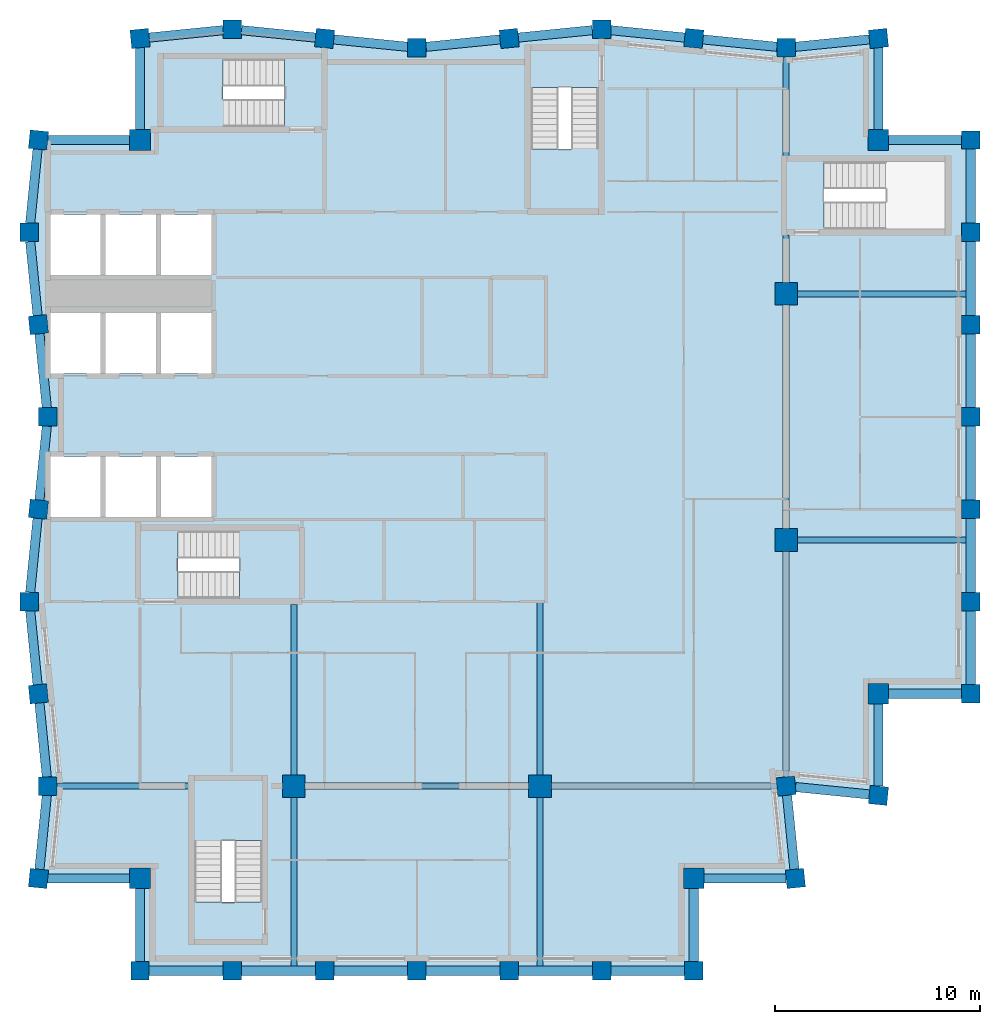
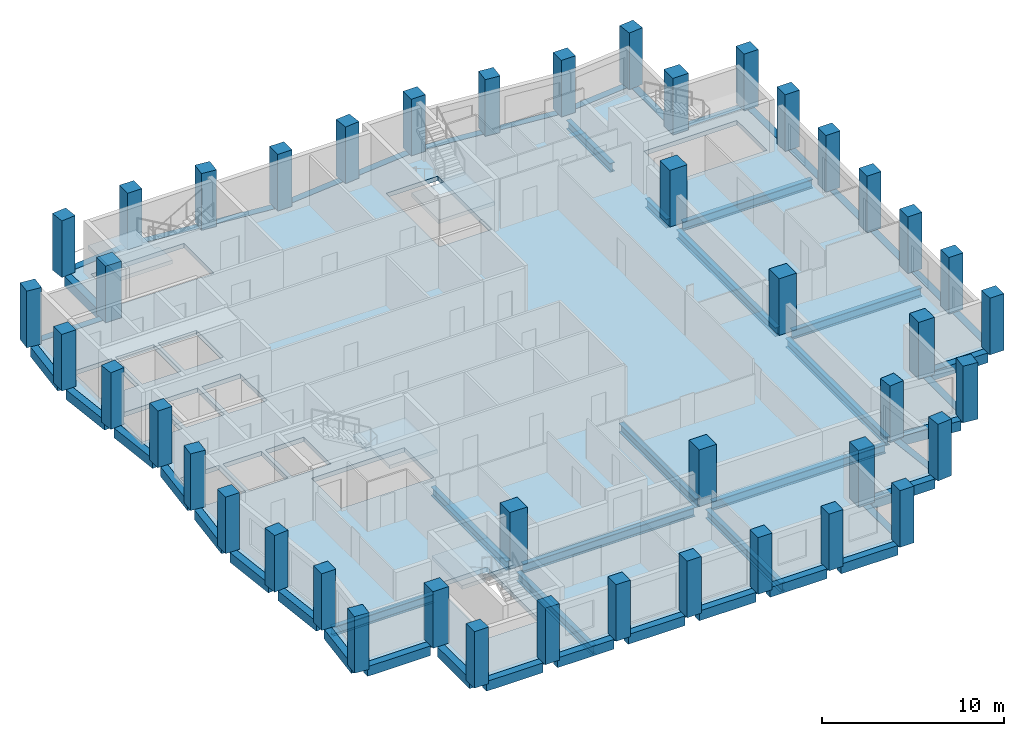
# One storey, part 1 of 7: 53 beams, 44 columns, 5 slabs, 4 elements without a shape of their own.
"""IFC4 building model written with IfcOpenShell, lengths in metres."""

from ifc_helpers import new_model, si_unit, direction, frame, origin, origin_2d, place, context, subcontext, project, spatial, polyline, rectangle, i_section, outline, extrude, material, layer, layer_set, material_profile, profile_set, type_object, element, aggregate, save


model = new_model("IFC4")

# Units and contexts
model_context = context("Model", 3, precision=1e-05, world=origin(), true_north=direction((0.0, 1.0)))
body_context = subcontext(model_context, "Body", "Model", "MODEL_VIEW")
ifc_project = project(units=[si_unit("LENGTHUNIT", "METRE"), si_unit("AREAUNIT", "SQUARE_METRE"), si_unit("VOLUMEUNIT", "CUBIC_METRE"), si_unit("PLANEANGLEUNIT", "RADIAN"), si_unit("MASSUNIT", "GRAM", prefix="KILO")], contexts=[model_context])

# Site, building, storey
site_placement = place(None, origin())
site = spatial("IfcSite", under=ifc_project, at=site_placement, CompositionType="ELEMENT")
building_placement = place(site_placement, origin())
building = spatial("IfcBuilding", under=site, at=building_placement, Name="Brondeck Convention Tower", CompositionType="ELEMENT")
storey_placement = place(building_placement, frame((0.0, 0.0, 275.199951171875)))
storey = spatial("IfcBuildingStorey", under=building, at=storey_placement, Name="L68", CompositionType="ELEMENT", Elevation=275.199951171875)

# Columns
ifc_material_1 = material(Name="Concrete C50/60", Category="concrete")
ifc_material_profile_1 = material_profile(ifc_material_1, rectangle(XDim=1.0, YDim=1.0, at=origin_2d()), Name="Corner column 1000x1000 Concrete C50/60")
ifc_profile_set_1 = profile_set([ifc_material_profile_1], Name="Concrete C50/60")
column_type_1 = type_object("IfcColumnType", Name="Corner column 1000x1000 Concrete C50/60", PredefinedType="COLUMN", material=ifc_profile_set_1)
for number, where, z_axis, x_axis, name in (
    (1, (4.5, 22.5, 0.0), (0.0, 0.0, 1.0), (1.0, 0.0, 0.0), "STR-COL-L68-NC-SWB18"),
    (2, (31.5, 22.5, 0.0), (0.0, 0.0, 1.0), (1.0, 0.0, 0.0), "STR-COL-L68-NC-SEB18"),
    (3, (40.5, 31.5, 0.0), (0.0, 0.0, 1.0), (1.0, 0.0, 0.0), "STR-COL-L68-NC-SEA45"),
    (4, (40.5, 58.5, 0.0), (0.0, 0.0, 1.0), (1.0, 0.0, 0.0), "STR-COL-L68-NC-NEA45"),
    (5, (4.5, 58.5, 0.0), (0.0, 0.0, 1.0), (1.0, 0.0, 0.0), "STR-COL-L68-NC-NW"),
):
    element("IfcColumn", number, at=place(storey_placement, frame(where, z_axis=z_axis, x_axis=x_axis)), inside=storey, type_object=column_type_1, Name=name, PredefinedType="COLUMN", context=body_context, shape_type="SweptSolid", body=[
        extrude(rectangle(XDim=1.0, YDim=1.0, at=origin_2d()), origin(), (0.0, 0.0, 1.0), 3.800048828125),
    ])
ifc_material_profile_2 = material_profile(ifc_material_1, rectangle(XDim=1.10009765625, YDim=1.10009765625, at=origin_2d()), Name="Interior column 1100x1100 Concrete C50/60")
ifc_profile_set_2 = profile_set([ifc_material_profile_2], Name="Concrete C50/60")
column_type_2 = type_object("IfcColumnType", Name="Interior column 1100x1100 Concrete C50/60", PredefinedType="COLUMN", material=ifc_profile_set_2)
for number, where, z_axis, x_axis, name in (
    (6, (12.0, 27.0, 0.0), (0.0, 0.0, 1.0), (1.0, 0.0, 0.0), "STR-COL-L68-IC-03"),
    (7, (24.0, 27.0, 0.0), (0.0, 0.0, 1.0), (1.0, 0.0, 0.0), "STR-COL-L68-IC-06"),
    (8, (36.0, 39.0, 0.0), (0.0, 0.0, 1.0), (1.0, 0.0, 0.0), "STR-COL-L68-IC-07"),
    (9, (36.0, 51.0, 0.0), (0.0, 0.0, 1.0), (1.0, 0.0, 0.0), "STR-COL-L68-IC-08"),
):
    element("IfcColumn", number, at=place(storey_placement, frame(where, z_axis=z_axis, x_axis=x_axis)), inside=storey, type_object=column_type_2, Name=name, PredefinedType="COLUMN", context=body_context, shape_type="SweptSolid", body=[
        extrude(rectangle(XDim=1.10009765625, YDim=1.10009765625, at=origin_2d()), origin(), (0.0, 0.0, 1.0), 3.800048828125),
    ])
ifc_material_profile_3 = material_profile(ifc_material_1, rectangle(XDim=0.89990234375, YDim=0.89990234375, at=origin_2d()), Name="Perimeter pier 900x900 Concrete C50/60")
ifc_profile_set_3 = profile_set([ifc_material_profile_3], Name="Concrete C50/60")
column_type_3 = type_object("IfcColumnType", Name="Perimeter pier 900x900 Concrete C50/60", PredefinedType="COLUMN", material=ifc_profile_set_3)
for number, where, z_axis, x_axis, name in (
    (10, (4.5, 18.0, 0.0), (0.0, 0.0, 1.0), (1.0, 0.0, 0.0), "STR-COL-L68-PC-B-S18-01"),
    (11, (9.0, 18.0, 0.0), (0.0, 0.0, 1.0), (1.0, 0.0, 0.0), "STR-COL-L68-PC-B-S18-02"),
    (12, (13.5, 18.0, 0.0), (0.0, 0.0, 1.0), (1.0, 0.0, 0.0), "STR-COL-L68-PC-B-S18-03"),
    (13, (18.0, 18.0, 0.0), (0.0, 0.0, 1.0), (1.0, 0.0, 0.0), "STR-COL-L68-PC-B-S18-04"),
    (14, (22.5, 18.0, 0.0), (0.0, 0.0, 1.0), (1.0, 0.0, 0.0), "STR-COL-L68-PC-B-S18-05"),
    (15, (27.0, 18.0, 0.0), (0.0, 0.0, 1.0), (1.0, 0.0, 0.0), "STR-COL-L68-PC-B-S18-06"),
    (16, (31.5, 18.0, 0.0), (0.0, 0.0, 1.0), (1.0, 0.0, 0.0), "STR-COL-L68-PC-B-S18-07"),
    (17, (36.449951171875, 22.5, 0.0), (0.0, 0.0, 1.0), (-0.0995038382, 0.995037178292, 0.0), "STR-COL-L68-PC-B-E-01"),
    (18, (36.0, 27.0, 0.0), (0.0, 0.0, 1.0), (-0.0995038382, 0.995037178292, 0.0), "STR-COL-L68-PC-B-E-00"),
    (19, (40.5, 26.550048828125, 0.0), (0.0, 0.0, 1.0), (0.995037178292, -0.0995038382, 0.0), "STR-COL-L68-PC-A-S-01"),
    (20, (45.0, 31.5, 0.0), (0.0, 0.0, 1.0), (0.0, 1.0, 0.0), "STR-COL-L68-PC-A-E45-01"),
    (21, (45.0, 36.0, 0.0), (0.0, 0.0, 1.0), (0.0, 1.0, 0.0), "STR-COL-L68-PC-A-E45-02"),
    (22, (45.0, 40.5, 0.0), (0.0, 0.0, 1.0), (0.0, 1.0, 0.0), "STR-COL-L68-PC-A-E45-03"),
    (23, (45.0, 45.0, 0.0), (0.0, 0.0, 1.0), (0.0, 1.0, 0.0), "STR-COL-L68-PC-A-E45-04"),
    (24, (45.0, 49.5, 0.0), (0.0, 0.0, 1.0), (0.0, 1.0, 0.0), "STR-COL-L68-PC-A-E45-05"),
    (25, (45.0, 54.0, 0.0), (0.0, 0.0, 1.0), (0.0, 1.0, 0.0), "STR-COL-L68-PC-A-E45-06"),
    (26, (45.0, 58.5, 0.0), (0.0, 0.0, 1.0), (0.0, 1.0, 0.0), "STR-COL-L68-PC-A-E45-07"),
    (27, (40.5, 63.449951171875, 0.0), (0.0, 0.0, 1.0), (-0.995037178292, -0.0995038382, 0.0), "STR-COL-L68-PC-A-N-09"),
    (28, (36.0, 63.0, 0.0), (0.0, 0.0, 1.0), (-1.0, 0.0, 0.0), "STR-COL-L68-PC-A-N-08"),
    (29, (31.5, 63.449951171875, 0.0), (0.0, 0.0, 1.0), (-0.995037178292, 0.0995038382, 0.0), "STR-COL-L68-PC-A-N-07"),
    (30, (27.0, 63.89990234375, 0.0), (0.0, 0.0, 1.0), (-1.0, 0.0, 0.0), "STR-COL-L68-PC-A-N-06"),
    (31, (22.5, 63.449951171875, 0.0), (0.0, 0.0, 1.0), (-0.995037178292, -0.0995038382, 0.0), "STR-COL-L68-PC-A-N-05"),
    (32, (18.0, 63.0, 0.0), (0.0, 0.0, 1.0), (-1.0, 0.0, 0.0), "STR-COL-L68-PC-A-N-04"),
    (33, (13.5, 63.449951171875, 0.0), (0.0, 0.0, 1.0), (-0.995037178292, 0.0995038382, 0.0), "STR-COL-L68-PC-A-N-03"),
    (34, (9.0, 63.89990234375, 0.0), (0.0, 0.0, 1.0), (-1.0, 0.0, 0.0), "STR-COL-L68-PC-A-N-02"),
    (35, (4.5, 63.449951171875, 0.0), (0.0, 0.0, 1.0), (-0.995037178292, -0.0995038382, 0.0), "STR-COL-L68-PC-A-N-01"),
    (36, (-0.449951171875, 58.5, 0.0), (0.0, 0.0, 1.0), (-0.0995038382, -0.995037178292, 0.0), "STR-COL-L68-PC-B-W-01"),
    (37, (-0.89990234375, 54.0, 0.0), (0.0, 0.0, 1.0), (0.0, -1.0, 0.0), "STR-COL-L68-PC-B-W-02"),
    (38, (-0.449951171875, 49.5, 0.0), (0.0, 0.0, 1.0), (0.0995038382, -0.995037178292, 0.0), "STR-COL-L68-PC-B-W-03"),
    (39, (0.0, 45.0, 0.0), (0.0, 0.0, 1.0), (0.0, -1.0, 0.0), "STR-COL-L68-PC-B-W-04"),
    (40, (-0.449951171875, 40.5, 0.0), (0.0, 0.0, 1.0), (-0.0995038382, -0.995037178292, 0.0), "STR-COL-L68-PC-B-W-05"),
    (41, (-0.89990234375, 36.0, 0.0), (0.0, 0.0, 1.0), (0.0, -1.0, 0.0), "STR-COL-L68-PC-B-W-06"),
    (42, (-0.449951171875, 31.5, 0.0), (0.0, 0.0, 1.0), (0.0995038382, -0.995037178292, 0.0), "STR-COL-L68-PC-B-W-07"),
    (43, (0.0, 27.0, 0.0), (0.0, 0.0, 1.0), (0.0, -1.0, 0.0), "STR-COL-L68-PC-B-W-08"),
    (44, (-0.449951171875, 22.5, 0.0), (0.0, 0.0, 1.0), (-0.0995038382, -0.995037178292, 0.0), "STR-COL-L68-PC-B-W-09"),
):
    element("IfcColumn", number, at=place(storey_placement, frame(where, z_axis=z_axis, x_axis=x_axis)), inside=storey, type_object=column_type_3, Name=name, PredefinedType="COLUMN", context=body_context, shape_type="SweptSolid", body=[
        extrude(rectangle(XDim=0.89990234375, YDim=0.89990234375, at=origin_2d()), origin(), (0.0, 0.0, 1.0), 3.800048828125),
    ])

# Beams
ifc_material_2 = material(Name="Steel S355", Category="steel")
ifc_material_profile_4 = material_profile(ifc_material_2, i_section(OverallWidth=0.300048828125, OverallDepth=0.60009765625, WebThickness=0.015380859375, FlangeThickness=0.030029296875, FilletRadius=0.027099609375, at=origin_2d()), Name="HEB 600")
ifc_profile_set_4 = profile_set([ifc_material_profile_4], Name="Steel S355")
beam_type_1 = type_object("IfcBeamType", Name="Girder HEB 600", PredefinedType="BEAM", material=ifc_profile_set_4)
for number, where, z_axis, x_axis, name in (
    (45, (36.550048828125, 39.0, -0.599853515625), (1.0, 0.0, 0.0), (0.0, 1.0, 0.0), "STR-GR-L68-001"),
    (46, (36.550048828125, 51.0, -0.599853515625), (1.0, 0.0, 0.0), (0.0, 1.0, 0.0), "STR-GR-L68-002"),
):
    element("IfcBeam", number, at=place(storey_placement, frame(where, z_axis=z_axis, x_axis=x_axis)), inside=storey, type_object=beam_type_1, Name=name, PredefinedType="BEAM", context=body_context, shape_type="SweptSolid", body=[
        extrude(i_section(OverallWidth=0.300048828125, OverallDepth=0.60009765625, WebThickness=0.015380859375, FlangeThickness=0.030029296875, FilletRadius=0.027099609375, at=origin_2d()), origin(), (0.0, 0.0, 1.0), 8.224853515625),
    ])
beam_1_placement = place(storey_placement, frame((36.0, 27.4521484375, -0.599853515625), z_axis=(0.0, 1.0, 0.0), x_axis=(-1.0, 0.0, 0.0)))
element("IfcBeam", 47, at=beam_1_placement, inside=storey, type_object=beam_type_1, Name="STR-GR-L68-003", PredefinedType="BEAM", context=body_context, shape_type="SweptSolid", body=[
    extrude(i_section(OverallWidth=0.300048828125, OverallDepth=0.60009765625, WebThickness=0.015380859375, FlangeThickness=0.030029296875, FilletRadius=0.027099609375, at=origin_2d()), origin(), (0.0, 0.0, 1.0), 10.997802734375),
])
beam_2_placement = place(storey_placement, frame((36.0, 39.550048828125, -0.599853515625), z_axis=(0.0, 1.0, 0.0), x_axis=(-1.0, 0.0, 0.0)))
element("IfcBeam", 48, at=beam_2_placement, inside=storey, type_object=beam_type_1, Name="STR-GR-L68-004", PredefinedType="BEAM", context=body_context, shape_type="SweptSolid", body=[
    extrude(i_section(OverallWidth=0.300048828125, OverallDepth=0.60009765625, WebThickness=0.015380859375, FlangeThickness=0.030029296875, FilletRadius=0.027099609375, at=origin_2d()), origin(), (0.0, 0.0, 1.0), 10.89990234375),
])
beam_3_placement = place(storey_placement, frame((36.0, 51.550048828125, -0.599853515625), z_axis=(0.0, 1.0, 0.0), x_axis=(-1.0, 0.0, 0.0)))
element("IfcBeam", 49, at=beam_3_placement, inside=storey, type_object=beam_type_1, Name="STR-GR-L68-005", PredefinedType="BEAM", context=body_context, shape_type="SweptSolid", body=[
    extrude(i_section(OverallWidth=0.300048828125, OverallDepth=0.60009765625, WebThickness=0.015380859375, FlangeThickness=0.030029296875, FilletRadius=0.027099609375, at=origin_2d()), origin(), (0.0, 0.0, 1.0), 2.329833984375),
])
beam_4_placement = place(storey_placement, frame((36.0, 57.719970703125, -0.599853515625), z_axis=(0.0, 1.0, 0.0), x_axis=(-1.0, 0.0, 0.0)))
element("IfcBeam", 50, at=beam_4_placement, inside=storey, type_object=beam_type_1, Name="STR-GR-L68-006", PredefinedType="BEAM", context=body_context, shape_type="SweptSolid", body=[
    extrude(i_section(OverallWidth=0.300048828125, OverallDepth=0.60009765625, WebThickness=0.015380859375, FlangeThickness=0.030029296875, FilletRadius=0.027099609375, at=origin_2d()), origin(), (0.0, 0.0, 1.0), 4.830078125),
])
beam_5_placement = place(storey_placement, frame((12.0, 35.85009765625, -0.599853515625), z_axis=(0.0, -1.0, 0.0), x_axis=(1.0, 0.0, 0.0)))
element("IfcBeam", 51, at=beam_5_placement, inside=storey, type_object=beam_type_1, Name="STR-GR-L68-007", PredefinedType="BEAM", context=body_context, shape_type="SweptSolid", body=[
    extrude(i_section(OverallWidth=0.300048828125, OverallDepth=0.60009765625, WebThickness=0.015380859375, FlangeThickness=0.030029296875, FilletRadius=0.027099609375, at=origin_2d()), origin(), (0.0, 0.0, 1.0), 8.300048828125),
])
beam_6_placement = place(storey_placement, frame((12.0, 26.449951171875, -0.599853515625), z_axis=(0.0, -1.0, 0.0), x_axis=(1.0, 0.0, 0.0)))
element("IfcBeam", 52, at=beam_6_placement, inside=storey, type_object=beam_type_1, Name="STR-GR-L68-008", PredefinedType="BEAM", context=body_context, shape_type="SweptSolid", body=[
    extrude(i_section(OverallWidth=0.300048828125, OverallDepth=0.60009765625, WebThickness=0.015380859375, FlangeThickness=0.030029296875, FilletRadius=0.027099609375, at=origin_2d()), origin(), (0.0, 0.0, 1.0), 8.224853515625),
])
beam_7_placement = place(storey_placement, frame((24.0, 35.955078125, -0.599853515625), z_axis=(0.0, -1.0, 0.0), x_axis=(1.0, 0.0, 0.0)))
element("IfcBeam", 53, at=beam_7_placement, inside=storey, type_object=beam_type_1, Name="STR-GR-L68-009", PredefinedType="BEAM", context=body_context, shape_type="SweptSolid", body=[
    extrude(i_section(OverallWidth=0.300048828125, OverallDepth=0.60009765625, WebThickness=0.015380859375, FlangeThickness=0.030029296875, FilletRadius=0.027099609375, at=origin_2d()), origin(), (0.0, 0.0, 1.0), 8.405029296875),
])
beam_8_placement = place(storey_placement, frame((24.0, 26.449951171875, -0.599853515625), z_axis=(0.0, -1.0, 0.0), x_axis=(1.0, 0.0, 0.0)))
element("IfcBeam", 54, at=beam_8_placement, inside=storey, type_object=beam_type_1, Name="STR-GR-L68-010", PredefinedType="BEAM", context=body_context, shape_type="SweptSolid", body=[
    extrude(i_section(OverallWidth=0.300048828125, OverallDepth=0.60009765625, WebThickness=0.015380859375, FlangeThickness=0.030029296875, FilletRadius=0.027099609375, at=origin_2d()), origin(), (0.0, 0.0, 1.0), 8.224853515625),
])
beam_9_placement = place(storey_placement, frame((0.449951171875, 27.0, -0.599853515625), z_axis=(1.0, 0.0, 0.0), x_axis=(0.0, 1.0, 0.0)))
element("IfcBeam", 55, at=beam_9_placement, inside=storey, type_object=beam_type_1, Name="STR-GR-L68-011", PredefinedType="BEAM", context=body_context, shape_type="SweptSolid", body=[
    extrude(i_section(OverallWidth=0.300048828125, OverallDepth=0.60009765625, WebThickness=0.015380859375, FlangeThickness=0.030029296875, FilletRadius=0.027099609375, at=origin_2d()), origin(), (0.0, 0.0, 1.0), 6.429931640625),
])
beam_10_placement = place(storey_placement, frame((12.550048828125, 27.0, -0.599853515625), z_axis=(1.0, 0.0, 0.0), x_axis=(0.0, 1.0, 0.0)))
element("IfcBeam", 56, at=beam_10_placement, inside=storey, type_object=beam_type_1, Name="STR-GR-L68-012", PredefinedType="BEAM", context=body_context, shape_type="SweptSolid", body=[
    extrude(i_section(OverallWidth=0.300048828125, OverallDepth=0.60009765625, WebThickness=0.015380859375, FlangeThickness=0.030029296875, FilletRadius=0.027099609375, at=origin_2d()), origin(), (0.0, 0.0, 1.0), 10.89990234375),
])
beam_11_placement = place(storey_placement, frame((24.550048828125, 27.0, -0.599853515625), z_axis=(1.0, 0.0, 0.0), x_axis=(0.0, 1.0, 0.0)))
element("IfcBeam", 57, at=beam_11_placement, inside=storey, type_object=beam_type_1, Name="STR-GR-L68-013", PredefinedType="BEAM", context=body_context, shape_type="SweptSolid", body=[
    extrude(i_section(OverallWidth=0.300048828125, OverallDepth=0.60009765625, WebThickness=0.015380859375, FlangeThickness=0.030029296875, FilletRadius=0.027099609375, at=origin_2d()), origin(), (0.0, 0.0, 1.0), 10.997802734375),
])
ifc_material_profile_5 = material_profile(ifc_material_1, rectangle(XDim=0.449951171875, YDim=0.64990234375, at=origin_2d()), Name="Precast spandrel 450x650 Concrete C50/60")
ifc_profile_set_5 = profile_set([ifc_material_profile_5], Name="Concrete C50/60")
beam_type_2 = type_object("IfcBeamType", Name="Precast spandrel 450x650 Concrete C50/60", PredefinedType="SPANDREL", material=ifc_profile_set_5)
for number, where, z_axis, x_axis, name in (
    (58, (4.949951171875, 18.0, -0.324951171875), (1.0, 0.0, 0.0), (0.0, 1.0, 0.0), "STR-SP-L68-001"),
    (59, (9.449951171875, 18.0, -0.324951171875), (1.0, 0.0, 0.0), (0.0, 1.0, 0.0), "STR-SP-L68-002"),
    (60, (13.949951171875, 18.0, -0.324951171875), (1.0, 0.0, 0.0), (0.0, 1.0, 0.0), "STR-SP-L68-003"),
    (61, (18.449951171875, 18.0, -0.324951171875), (1.0, 0.0, 0.0), (0.0, 1.0, 0.0), "STR-SP-L68-004"),
    (62, (22.949951171875, 18.0, -0.324951171875), (1.0, 0.0, 0.0), (0.0, 1.0, 0.0), "STR-SP-L68-005"),
    (63, (27.449951171875, 18.0, -0.324951171875), (1.0, 0.0, 0.0), (0.0, 1.0, 0.0), "STR-SP-L68-006"),
):
    element("IfcBeam", number, at=place(storey_placement, frame(where, z_axis=z_axis, x_axis=x_axis)), inside=storey, type_object=beam_type_2, Name=name, PredefinedType="SPANDREL", context=body_context, shape_type="SweptSolid", body=[
        extrude(rectangle(XDim=0.449951171875, YDim=0.64990234375, at=origin_2d()), origin(), (0.0, 0.0, 1.0), 3.60009765625),
    ])
beam_12_placement = place(storey_placement, frame((31.5, 18.449951171875, -0.324951171875), z_axis=(0.0, 1.0, 0.0), x_axis=(-1.0, 0.0, 0.0)))
element("IfcBeam", 64, at=beam_12_placement, inside=storey, type_object=beam_type_2, Name="STR-SP-L68-007", PredefinedType="SPANDREL", context=body_context, shape_type="SweptSolid", body=[
    extrude(rectangle(XDim=0.449951171875, YDim=0.64990234375, at=origin_2d()), origin(), (0.0, 0.0, 1.0), 3.550048828125),
])
beam_13_placement = place(storey_placement, frame((32.0, 22.5, -0.324951171875), z_axis=(1.0, 0.0, 0.0), x_axis=(0.0, 1.0, 0.0)))
element("IfcBeam", 65, at=beam_13_placement, inside=storey, type_object=beam_type_2, Name="STR-SP-L68-008", PredefinedType="SPANDREL", context=body_context, shape_type="SweptSolid", body=[
    extrude(rectangle(XDim=0.449951171875, YDim=0.64990234375, at=origin_2d()), origin(), (0.0, 0.0, 1.0), 3.997802734375),
])
beam_14_placement = place(storey_placement, frame((36.4052734375, 22.94775390625, -0.324951171875), z_axis=(-0.099543756114, 0.995033185687, 0.0), x_axis=(-0.995033185687, -0.099543756114, 0.0)))
element("IfcBeam", 66, at=beam_14_placement, inside=storey, type_object=beam_type_2, Name="STR-SP-L68-009", PredefinedType="SPANDREL", context=body_context, shape_type="SweptSolid", body=[
    extrude(rectangle(XDim=0.449951171875, YDim=0.64990234375, at=origin_2d()), origin(), (0.0, 0.0, 1.0), 3.62255859375),
])
beam_15_placement = place(storey_placement, frame((36.456787109375, 26.954345703125, -0.324951171875), z_axis=(0.995035183115, -0.099523787922, 0.0), x_axis=(0.099523787922, 0.995035183115, 0.0)))
element("IfcBeam", 67, at=beam_15_placement, inside=storey, type_object=beam_type_2, Name="STR-SP-L68-010", PredefinedType="SPANDREL", context=body_context, shape_type="SweptSolid", body=[
    extrude(rectangle(XDim=0.449951171875, YDim=0.64990234375, at=origin_2d()), origin(), (0.0, 0.0, 1.0), 3.61328125),
])
beam_16_placement = place(storey_placement, frame((40.5, 27.002197265625, -0.324951171875), z_axis=(0.0, 1.0, 0.0), x_axis=(-1.0, 0.0, 0.0)))
element("IfcBeam", 68, at=beam_16_placement, inside=storey, type_object=beam_type_2, Name="STR-SP-L68-011", PredefinedType="SPANDREL", context=body_context, shape_type="SweptSolid", body=[
    extrude(rectangle(XDim=0.449951171875, YDim=0.64990234375, at=origin_2d()), origin(), (0.0, 0.0, 1.0), 3.997802734375),
])
beam_17_placement = place(storey_placement, frame((41.0, 31.5, -0.324951171875), z_axis=(1.0, 0.0, 0.0), x_axis=(0.0, 1.0, 0.0)))
element("IfcBeam", 69, at=beam_17_placement, inside=storey, type_object=beam_type_2, Name="STR-SP-L68-012", PredefinedType="SPANDREL", context=body_context, shape_type="SweptSolid", body=[
    extrude(rectangle(XDim=0.449951171875, YDim=0.64990234375, at=origin_2d()), origin(), (0.0, 0.0, 1.0), 3.550048828125),
])
for number, where, z_axis, x_axis, name in (
    (70, (45.0, 31.949951171875, -0.324951171875), (0.0, 1.0, 0.0), (-1.0, 0.0, 0.0), "STR-SP-L68-013"),
    (71, (45.0, 36.449951171875, -0.324951171875), (0.0, 1.0, 0.0), (-1.0, 0.0, 0.0), "STR-SP-L68-014"),
    (72, (45.0, 40.949951171875, -0.324951171875), (0.0, 1.0, 0.0), (-1.0, 0.0, 0.0), "STR-SP-L68-015"),
    (73, (45.0, 45.449951171875, -0.324951171875), (0.0, 1.0, 0.0), (-1.0, 0.0, 0.0), "STR-SP-L68-016"),
    (74, (45.0, 49.949951171875, -0.324951171875), (0.0, 1.0, 0.0), (-1.0, 0.0, 0.0), "STR-SP-L68-017"),
    (75, (45.0, 54.449951171875, -0.324951171875), (0.0, 1.0, 0.0), (-1.0, 0.0, 0.0), "STR-SP-L68-018"),
):
    element("IfcBeam", number, at=place(storey_placement, frame(where, z_axis=z_axis, x_axis=x_axis)), inside=storey, type_object=beam_type_2, Name=name, PredefinedType="SPANDREL", context=body_context, shape_type="SweptSolid", body=[
        extrude(rectangle(XDim=0.449951171875, YDim=0.64990234375, at=origin_2d()), origin(), (0.0, 0.0, 1.0), 3.60009765625),
    ])
beam_18_placement = place(storey_placement, frame((44.550048828125, 58.5, -0.324951171875), z_axis=(-1.0, 0.0, 0.0), x_axis=(0.0, -1.0, 0.0)))
element("IfcBeam", 76, at=beam_18_placement, inside=storey, type_object=beam_type_2, Name="STR-SP-L68-019", PredefinedType="SPANDREL", context=body_context, shape_type="SweptSolid", body=[
    extrude(rectangle(XDim=0.449951171875, YDim=0.64990234375, at=origin_2d()), origin(), (0.0, 0.0, 1.0), 3.550048828125),
])
beam_19_placement = place(storey_placement, frame((40.5, 59.0, -0.324951171875), z_axis=(0.0, 1.0, 0.0), x_axis=(-1.0, 0.0, 0.0)))
element("IfcBeam", 77, at=beam_19_placement, inside=storey, type_object=beam_type_2, Name="STR-SP-L68-020", PredefinedType="SPANDREL", context=body_context, shape_type="SweptSolid", body=[
    extrude(rectangle(XDim=0.449951171875, YDim=0.64990234375, at=origin_2d()), origin(), (0.0, 0.0, 1.0), 3.997802734375),
])
for number, where, z_axis, x_axis, name in (
    (78, (40.05224609375, 63.4052734375, -0.324951171875), (-0.995033851182, -0.099537103649, 0.0), (0.099537103649, -0.995033851182, 0.0), "STR-SP-L68-021"),
    (79, (35.550048828125, 63.044921875, -0.324951171875), (-0.995033851182, 0.099537103649, 0.0), (-0.099537103649, -0.995033851182, 0.0), "STR-SP-L68-022"),
    (80, (31.05224609375, 63.494873046875, -0.324951171875), (-0.995040528141, 0.099470334057, 0.0), (-0.099470334057, -0.995040528141, 0.0), "STR-SP-L68-023"),
    (81, (26.550048828125, 63.85498046875, -0.324951171875), (-0.995040528141, -0.099470334057, 0.0), (0.099470334057, -0.995040528141, 0.0), "STR-SP-L68-024"),
    (82, (22.05224609375, 63.4052734375, -0.324951171875), (-0.995033851182, -0.099537103649, 0.0), (0.099537103649, -0.995033851182, 0.0), "STR-SP-L68-025"),
    (83, (17.550048828125, 63.044921875, -0.324951171875), (-0.995033851182, 0.099537103649, 0.0), (-0.099537103649, -0.995033851182, 0.0), "STR-SP-L68-026"),
    (84, (13.05224609375, 63.494873046875, -0.324951171875), (-0.995040528141, 0.099470334057, 0.0), (-0.099470334057, -0.995040528141, 0.0), "STR-SP-L68-027"),
    (85, (8.550048828125, 63.85498046875, -0.324951171875), (-0.995040528141, -0.099470334057, 0.0), (0.099470334057, -0.995040528141, 0.0), "STR-SP-L68-028"),
):
    element("IfcBeam", number, at=place(storey_placement, frame(where, z_axis=z_axis, x_axis=x_axis)), inside=storey, type_object=beam_type_2, Name=name, PredefinedType="SPANDREL", context=body_context, shape_type="SweptSolid", body=[
        extrude(rectangle(XDim=0.449951171875, YDim=0.64990234375, at=origin_2d()), origin(), (0.0, 0.0, 1.0), 3.620361328125),
    ])
for number, where, z_axis, x_axis, name in (
    (86, (4.5, 62.997802734375, -0.324951171875), (0.0, -1.0, 0.0), (1.0, 0.0, 0.0), "STR-SP-L68-029"),
    (87, (4.0, 58.5, -0.324951171875), (-1.0, 0.0, 0.0), (0.0, -1.0, 0.0), "STR-SP-L68-030"),
):
    element("IfcBeam", number, at=place(storey_placement, frame(where, z_axis=z_axis, x_axis=x_axis)), inside=storey, type_object=beam_type_2, Name=name, PredefinedType="SPANDREL", context=body_context, shape_type="SweptSolid", body=[
        extrude(rectangle(XDim=0.449951171875, YDim=0.64990234375, at=origin_2d()), origin(), (0.0, 0.0, 1.0), 3.997802734375),
    ])
for number, where, z_axis, x_axis, name in (
    (88, (-0.494873046875, 58.05224609375, -0.324951171875), (-0.099470334057, -0.995040528141, 0.0), (0.995040528141, -0.099470334057, 0.0), "STR-SP-L68-031"),
    (89, (-0.85498046875, 53.550048828125, -0.324951171875), (0.099470334057, -0.995040528141, 0.0), (0.995040528141, 0.099470334057, 0.0), "STR-SP-L68-032"),
    (90, (-0.4052734375, 49.05224609375, -0.324951171875), (0.099537103649, -0.995033851182, 0.0), (0.995033851182, 0.099537103649, 0.0), "STR-SP-L68-033"),
    (91, (-0.044921875, 44.550048828125, -0.324951171875), (-0.099537103649, -0.995033851182, 0.0), (0.995033851182, -0.099537103649, 0.0), "STR-SP-L68-034"),
    (92, (-0.494873046875, 40.05224609375, -0.324951171875), (-0.099470334057, -0.995040528141, 0.0), (0.995040528141, -0.099470334057, 0.0), "STR-SP-L68-035"),
    (93, (-0.85498046875, 35.550048828125, -0.324951171875), (0.099470334057, -0.995040528141, 0.0), (0.995040528141, 0.099470334057, 0.0), "STR-SP-L68-036"),
    (94, (-0.4052734375, 31.05224609375, -0.324951171875), (0.099537103649, -0.995033851182, 0.0), (0.995033851182, 0.099537103649, 0.0), "STR-SP-L68-037"),
    (95, (-0.044921875, 26.550048828125, -0.324951171875), (-0.099537103649, -0.995033851182, 0.0), (0.995033851182, -0.099537103649, 0.0), "STR-SP-L68-038"),
):
    element("IfcBeam", number, at=place(storey_placement, frame(where, z_axis=z_axis, x_axis=x_axis)), inside=storey, type_object=beam_type_2, Name=name, PredefinedType="SPANDREL", context=body_context, shape_type="SweptSolid", body=[
        extrude(rectangle(XDim=0.449951171875, YDim=0.64990234375, at=origin_2d()), origin(), (0.0, 0.0, 1.0), 3.620361328125),
    ])
beam_20_placement = place(storey_placement, frame((0.002197265625, 22.5, -0.324951171875), z_axis=(1.0, 0.0, 0.0), x_axis=(0.0, 1.0, 0.0)))
element("IfcBeam", 96, at=beam_20_placement, inside=storey, type_object=beam_type_2, Name="STR-SP-L68-039", PredefinedType="SPANDREL", context=body_context, shape_type="SweptSolid", body=[
    extrude(rectangle(XDim=0.449951171875, YDim=0.64990234375, at=origin_2d()), origin(), (0.0, 0.0, 1.0), 3.997802734375),
])
beam_21_placement = place(storey_placement, frame((4.5, 22.0, -0.324951171875), z_axis=(0.0, -1.0, 0.0), x_axis=(1.0, 0.0, 0.0)))
element("IfcBeam", 97, at=beam_21_placement, inside=storey, type_object=beam_type_2, Name="STR-SP-L68-040", PredefinedType="SPANDREL", context=body_context, shape_type="SweptSolid", body=[
    extrude(rectangle(XDim=0.449951171875, YDim=0.64990234375, at=origin_2d()), origin(), (0.0, 0.0, 1.0), 3.550048828125),
])

# Slab
ifc_material_3 = material(Name="Concrete C35/45", Category="concrete")
ifc_layer_1 = layer(ifc_material_3, 0.300048828125)
ifc_layer_set_1 = layer_set([ifc_layer_1], Name="Composite floor slab 300")
slab_type_1 = type_object("IfcSlabType", Name="Composite floor slab 300", PredefinedType="FLOOR", material=ifc_layer_set_1)
slab_1_placement = place(storey_placement, frame((0.0, 0.0, -0.300048828125)))
element("IfcSlab", 98, at=slab_1_placement, inside=storey, type_object=slab_type_1, Name="STR-SL-L68", PredefinedType="FLOOR", context=body_context, shape_type="SweptSolid", body=[
    extrude(outline(polyline([(4.5, 22.5), (-0.449951171875, 22.5), (0.0, 27.0), (-0.89990234375, 36.0), (0.0, 45.0), (-0.89990234375, 54.0), (-0.449951171875, 58.5), (4.5, 58.5), (4.5, 63.449951171875), (9.0, 63.89990234375), (18.0, 63.0), (27.0, 63.89990234375), (36.0, 63.0), (40.5, 63.449951171875), (40.5, 58.5), (45.0, 58.5), (45.0, 31.5), (40.5, 31.5), (40.5, 26.550048828125), (36.0, 27.0), (36.449951171875, 22.5), (31.5, 22.5), (31.5, 18.0), (4.5, 18.0), (4.5, 22.5)]), holes=[polyline([(2.574951171875, 43.074951171875), (0.125, 43.074951171875), (0.125, 40.125), (2.574951171875, 40.125), (2.574951171875, 43.074951171875)]), polyline([(5.27490234375, 40.125), (5.27490234375, 43.074951171875), (2.824951171875, 43.074951171875), (2.824951171875, 40.125), (5.27490234375, 40.125)]), polyline([(7.97509765625, 40.125), (7.97509765625, 43.074951171875), (5.52490234375, 43.074951171875), (5.52490234375, 40.125), (7.97509765625, 40.125)]), polyline([(2.574951171875, 47.125), (2.574951171875, 50.074951171875), (0.125, 50.074951171875), (0.125, 47.125), (2.574951171875, 47.125)]), polyline([(5.27490234375, 47.125), (5.27490234375, 50.074951171875), (2.824951171875, 50.074951171875), (2.824951171875, 47.125), (5.27490234375, 47.125)]), polyline([(2.574951171875, 51.925048828125), (2.574951171875, 54.875), (0.125, 54.875), (0.125, 51.925048828125), (2.574951171875, 51.925048828125)]), polyline([(5.27490234375, 51.925048828125), (5.27490234375, 54.875), (2.824951171875, 54.875), (2.824951171875, 51.925048828125), (5.27490234375, 51.925048828125)]), polyline([(7.152099609375, 27.248046875), (7.152099609375, 21.35205078125), (10.447998046875, 21.35205078125), (10.447998046875, 27.248046875), (7.152099609375, 27.248046875)]), polyline([(12.248046875, 36.152099609375), (12.248046875, 39.447998046875), (6.35205078125, 39.447998046875), (6.35205078125, 36.152099609375), (12.248046875, 36.152099609375)]), polyline([(7.97509765625, 47.125), (7.97509765625, 50.074951171875), (5.52490234375, 50.074951171875), (5.52490234375, 47.125), (7.97509765625, 47.125)]), polyline([(7.97509765625, 51.925048828125), (7.97509765625, 54.875), (5.52490234375, 54.875), (5.52490234375, 51.925048828125), (7.97509765625, 51.925048828125)]), polyline([(43.748046875, 54.152099609375), (43.748046875, 57.447998046875), (37.85205078125, 57.447998046875), (37.85205078125, 54.152099609375), (43.748046875, 54.152099609375)]), polyline([(23.552001953125, 55.152099609375), (26.847900390625, 55.152099609375), (26.847900390625, 61.048095703125), (23.552001953125, 61.048095703125), (23.552001953125, 55.152099609375)]), polyline([(5.652099609375, 62.447998046875), (5.652099609375, 59.152099609375), (11.548095703125, 59.152099609375), (11.548095703125, 62.447998046875), (5.652099609375, 62.447998046875)])]), origin(), (0.0, 0.0, 1.0), 0.300048828125),
])

# Stair, slab
ifc_material_4 = material(Name="Precast concrete C50/60", Category="concrete")
stair_type = type_object("IfcStairType", Name="Core stair 22 risers 172.73 mm riser 300 mm going 1350 wide", PredefinedType="HALF_TURN_STAIR", material=ifc_material_4)
stair_1_placement = place(storey_placement, origin())
stair_1 = element("IfcStair", 99, at=stair_1_placement, inside=storey, type_object=stair_type, Name="ST-1 L68 stair", PredefinedType="HALF_TURN_STAIR")
ifc_layer_2 = layer(ifc_material_4, 0.25)
ifc_layer_set_2 = layer_set([ifc_layer_2], Name="Core stair landing 250 Precast concrete C50/60")
slab_type_2 = type_object("IfcSlabType", Name="Core stair landing 250 Precast concrete C50/60", PredefinedType="LANDING", material=ifc_layer_set_2)
slab_2_placement = place(storey_placement, frame((0.0, 0.0, 1.650146484375)))
slab_2 = element("IfcSlab", 100, at=slab_2_placement, type_object=slab_type_2, Name="ST-1 landing 1", PredefinedType="LANDING", context=body_context, shape_type="SweptSolid", body=[
    extrude(outline(polyline([(9.347900390625, 37.5), (9.35009765625, 37.5), (9.35009765625, 38.10009765625), (9.050048828125, 38.10009765625), (9.050048828125, 39.570068359375), (12.3701171875, 39.570068359375), (12.3701171875, 36.030029296875), (9.347900390625, 36.030029296875), (9.347900390625, 37.5)])), origin(), (0.0, 0.0, 1.0), 0.25),
])
aggregate(stair_1, [slab_2])

stair_2_placement = place(storey_placement, origin())
stair_2 = element("IfcStair", 101, at=stair_2_placement, inside=storey, type_object=stair_type, Name="ST-2 L68 stair", PredefinedType="HALF_TURN_STAIR")
slab_3_placement = place(storey_placement, frame((0.0, 0.0, 1.650146484375)))
slab_3 = element("IfcSlab", 102, at=slab_3_placement, type_object=slab_type_2, Name="ST-2 landing 1", PredefinedType="LANDING", context=body_context, shape_type="SweptSolid", body=[
    extrude(outline(polyline([(23.429931640625, 58.052001953125), (24.89990234375, 58.052001953125), (24.89990234375, 58.050048828125), (25.5, 58.050048828125), (25.5, 58.35009765625), (26.969970703125, 58.35009765625), (26.969970703125, 55.030029296875), (23.429931640625, 55.030029296875), (23.429931640625, 58.052001953125)])), origin(), (0.0, 0.0, 1.0), 0.25),
])
aggregate(stair_2, [slab_3])

stair_3_placement = place(storey_placement, origin())
stair_3 = element("IfcStair", 103, at=stair_3_placement, inside=storey, type_object=stair_type, Name="ST-3 L68 stair", PredefinedType="HALF_TURN_STAIR")
slab_4_placement = place(storey_placement, frame((0.0, 0.0, 1.650146484375)))
slab_4 = element("IfcSlab", 104, at=slab_4_placement, type_object=slab_type_2, Name="ST-3 landing 1", PredefinedType="LANDING", context=body_context, shape_type="SweptSolid", body=[
    extrude(outline(polyline([(8.85009765625, 60.5), (8.85009765625, 59.030029296875), (5.530029296875, 59.030029296875), (5.530029296875, 62.570068359375), (8.552001953125, 62.570068359375), (8.552001953125, 61.10009765625), (8.550048828125, 61.10009765625), (8.550048828125, 60.5), (8.85009765625, 60.5)])), origin(), (0.0, 0.0, 1.0), 0.25),
])
aggregate(stair_3, [slab_4])

stair_4_placement = place(storey_placement, origin())
stair_4 = element("IfcStair", 105, at=stair_4_placement, inside=storey, type_object=stair_type, Name="ST-BE L68 stair", PredefinedType="HALF_TURN_STAIR")
slab_5_placement = place(storey_placement, frame((0.0, 0.0, 1.650146484375)))
slab_5 = element("IfcSlab", 106, at=slab_5_placement, type_object=slab_type_2, Name="ST-BE landing 1", PredefinedType="LANDING", context=body_context, shape_type="SweptSolid", body=[
    extrude(outline(polyline([(7.030029296875, 24.050048828125), (7.030029296875, 27.3701171875), (10.570068359375, 27.3701171875), (10.570068359375, 24.347900390625), (9.10009765625, 24.347900390625), (9.10009765625, 24.35009765625), (8.5, 24.35009765625), (8.5, 24.050048828125), (7.030029296875, 24.050048828125)])), origin(), (0.0, 0.0, 1.0), 0.25),
])
aggregate(stair_4, [slab_5])

save(model, "model.ifc")
